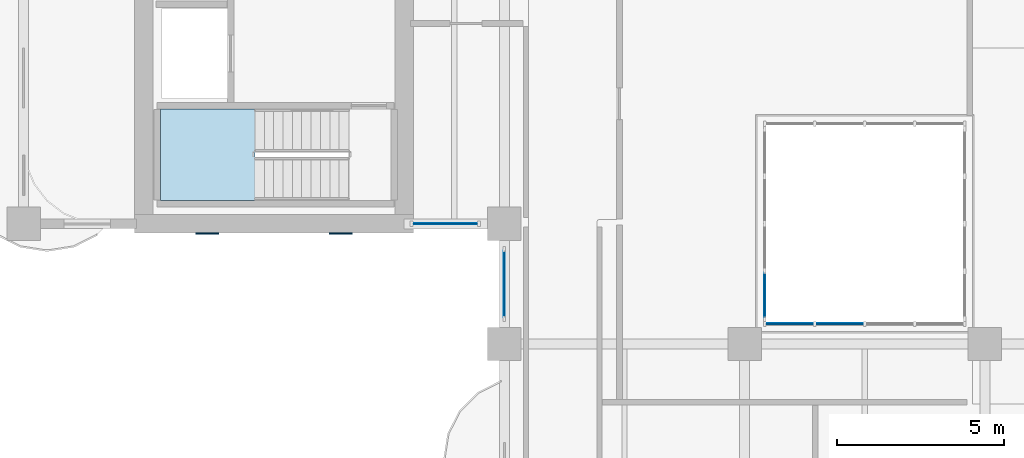
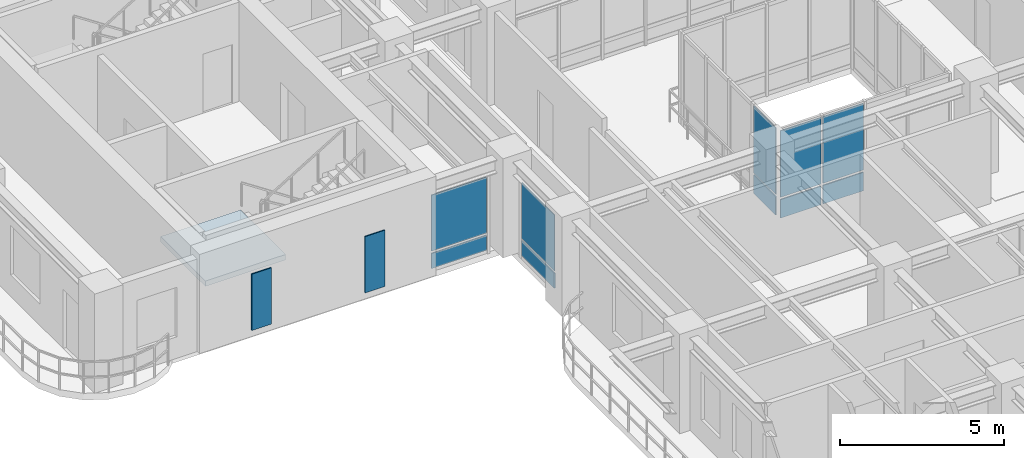
# One storey, part 8 of 20: 12 plates, 1 slab, 5 elements without a shape of their own.
"""IFC4 building model written with IfcOpenShell, lengths in metres."""

from ifc_helpers import new_model, si_unit, derived_unit, direction, frame, origin, origin_2d, place, context, subcontext, project, spatial, polyline, rectangle, outline, extrude, source, transform, mapped, material, layer, layer_set, type_object, type_shapes, element, aggregate, save


model = new_model("IFC4")

# Units and contexts
model_context = context("Model", 3, precision=1e-05, world=origin(), true_north=direction((0.0, 1.0)))
body_context = subcontext(model_context, "Body", "Model", "MODEL_VIEW")
ifc_project = project(units=[si_unit("LENGTHUNIT", "METRE"), si_unit("AREAUNIT", "SQUARE_METRE"), si_unit("VOLUMEUNIT", "CUBIC_METRE"), si_unit("PLANEANGLEUNIT", "RADIAN"), si_unit("MASSUNIT", "GRAM", prefix="KILO"), si_unit("THERMODYNAMICTEMPERATUREUNIT", "KELVIN"), si_unit("POWERUNIT", "WATT"), derived_unit("THERMALTRANSMITTANCEUNIT", [(si_unit("POWERUNIT", "WATT"), 1), (si_unit("AREAUNIT", "SQUARE_METRE"), -1), (si_unit("THERMODYNAMICTEMPERATUREUNIT", "KELVIN"), -1)])], contexts=[model_context])

# Site, building, storey
site_placement = place(None, origin())
site = spatial("IfcSite", under=ifc_project, at=site_placement, CompositionType="ELEMENT")
building_placement = place(site_placement, origin())
building = spatial("IfcBuilding", under=site, at=building_placement, Name="Zahravan Archway Hotel and Residences", CompositionType="ELEMENT")
storey_placement = place(building_placement, frame((0.0, 0.0, 111.800048828125)))
storey = spatial("IfcBuildingStorey", under=building, at=storey_placement, Name="L27", CompositionType="ELEMENT", Elevation=111.800048828125)

# Stair, slab
ifc_material_1 = material(Name="Concrete C50/60", Category="concrete")
stair_type = type_object("IfcStairType", Name="STR-CORE-1300", PredefinedType="HALF_TURN_STAIR", material=ifc_material_1)
stair_placement = place(storey_placement, origin())
stair = element("IfcStair", 1, at=stair_placement, inside=storey, type_object=stair_type, Name="L27 Core B Exit Stair 1", PredefinedType="HALF_TURN_STAIR")
ifc_layer_1 = layer(ifc_material_1, 0.199951171875, Name="Concrete C50/60", Category="concrete")
ifc_layer_set_1 = layer_set([ifc_layer_1], Name="Concrete C50/60")
slab_type = type_object("IfcSlabType", Name="SLB-LND-200", PredefinedType="LANDING", material=ifc_layer_set_1)
slab_placement = place(storey_placement, frame((0.0, 0.0, 1.64990234375)))
slab = element("IfcSlab", 2, at=slab_placement, type_object=slab_type, Name="ST-B1 landing 1", PredefinedType="LANDING", context=body_context, shape_type="SweptSolid", body=[
    extrude(outline(polyline([(6.929931640625, 28.639892578125), (4.10009765625, 28.639892578125), (4.10009765625, 25.89990234375), (6.929931640625, 25.89990234375), (6.929931640625, 28.639892578125)])), origin(), (0.0, 0.0, 1.0), 0.199951171875),
])
aggregate(stair, [slab])

# Plates
ifc_material_2 = material(Name="Perforated Cast Bronze Jali Lattice")
ifc_layer_2 = layer(ifc_material_2, 0.044921875, Name="Perforated Cast Bronze Jali Lattice")
ifc_layer_set_2 = layer_set([ifc_layer_2], Name="Perforated Cast Bronze Jali Lattice")
plate_type_1 = type_object("IfcPlateType", Name="PLT-JALI-BAY", PredefinedType="USERDEFINED", material=ifc_layer_set_2)
shared_shape_1 = source(origin(), body_context, "Body", "SweptSolid", [
    extrude(rectangle(XDim=0.699951171875, YDim=0.044921875, at=origin_2d()), origin(), (0.0, 0.0, 1.0), 2.10009765625),
])
type_shapes(plate_type_1, [shared_shape_1])
for number, where, z_axis, x_axis, name in (
    (3, (5.5, 24.906982421875, 0.25), (0.0, 0.0, 1.0), (1.0, 0.0, 0.0), "L27 Core B South Mughal Jali Screen 1"),
    (4, (9.5, 24.906982421875, 0.25), (0.0, 0.0, 1.0), (1.0, 0.0, 0.0), "L27 Core B South Mughal Jali Screen 2"),
):
    element("IfcPlate", number, at=place(storey_placement, frame(where, z_axis=z_axis, x_axis=x_axis)), inside=storey, type_object=plate_type_1, Name=name, ObjectType="SCREEN", PredefinedType="USERDEFINED", context=body_context, shape_type="MappedRepresentation", body=[
        mapped(shared_shape_1, transform((0.0, 0.0, 0.0), scale=1.0)),
    ])

# Curtain wall, plates
ifc_material_3 = material(Name="Bronze-Anodized Unitised Aluminium & Low-E Glass", Category="aluminium")
ifc_layer_3 = layer(ifc_material_3, 0.179931640625, Name="Bronze-Anodized Unitised Aluminium & Low-E Glass", Category="aluminium")
ifc_layer_set_3 = layer_set([ifc_layer_3], Name="Bronze-Anodized Unitised Aluminium & Low-E Glass")
curtain_wall_type = type_object("IfcCurtainWallType", Name="CW-ATR-GLAZ", PredefinedType="NOTDEFINED", material=ifc_layer_set_3)
curtain_wall_1_placement = place(storey_placement, origin())
curtain_wall_1 = element("IfcCurtainWall", 5, at=curtain_wall_1_placement, inside=storey, type_object=curtain_wall_type, Name="L27 Curtain Wall CW-ATR-L27-S-1", PredefinedType="NOTDEFINED")
ifc_material_4 = material(Name="Insulated Terracotta Spandrel Panel", Category="masonry")
ifc_layer_4 = layer(ifc_material_4, 0.0400390625, Name="Insulated Terracotta Spandrel Panel", Category="masonry")
ifc_layer_set_4 = layer_set([ifc_layer_4], Name="Insulated Terracotta Spandrel Panel")
plate_type_2 = type_object("IfcPlateType", Name="CWP-SPN-40", PredefinedType="SHEET", material=ifc_layer_set_4)
shared_shape_2 = source(origin(), body_context, "Body", "SweptSolid", [
    extrude(rectangle(XDim=1.419921875, YDim=0.0400390625, at=origin_2d()), origin(), (0.0, 0.0, 1.0), 0.68798828125),
])
plate_1_placement = place(storey_placement, frame((22.949951171875, 22.199951171875, 0.099853515625), z_axis=(0.0, 0.0, 1.0), x_axis=(1.0, 0.0, 0.0)))
plate_1 = element("IfcPlate", 6, at=plate_1_placement, type_object=plate_type_2, Name="CW-ATR-L27-S-1 Spandrel Panel 0", PredefinedType="SHEET", context=body_context, shape_type="MappedRepresentation", body=[
    mapped(shared_shape_2, transform((0.0, 0.0, 0.0), scale=1.0)),
])
plate_2_placement = place(storey_placement, frame((24.449951171875, 22.199951171875, 0.099853515625), z_axis=(0.0, 0.0, 1.0), x_axis=(1.0, 0.0, 0.0)))
plate_2 = element("IfcPlate", 7, at=plate_2_placement, type_object=plate_type_2, Name="CW-ATR-L27-S-1 Spandrel Panel 1", PredefinedType="SHEET", context=body_context, shape_type="MappedRepresentation", body=[
    mapped(shared_shape_2, transform((0.0, 0.0, 0.0), scale=1.0)),
])
ifc_material_5 = material(Name="Double-Silver Low-E Insulated Vision Glass", Category="glass")
ifc_layer_5 = layer(ifc_material_5, 0.028076171875, Name="Double-Silver Low-E Insulated Vision Glass", Category="glass")
ifc_layer_set_5 = layer_set([ifc_layer_5], Name="Double-Silver Low-E Insulated Vision Glass")
plate_type_3 = type_object("IfcPlateType", Name="CWP-GLZ-28", PredefinedType="CURTAIN_PANEL", material=ifc_layer_set_5)
shared_shape_3 = source(origin(), body_context, "Body", "SweptSolid", [
    extrude(rectangle(XDim=1.419921875, YDim=0.028076171875, at=origin_2d()), origin(), (0.0, 0.0, 1.0), 2.48193359375),
])
plate_3_placement = place(storey_placement, frame((22.949951171875, 22.199951171875, 0.867919921875), z_axis=(0.0, 0.0, 1.0), x_axis=(1.0, 0.0, 0.0)))
plate_3 = element("IfcPlate", 8, at=plate_3_placement, type_object=plate_type_3, Name="CW-ATR-L27-S-1 Low-E Vision Panel 0", PredefinedType="CURTAIN_PANEL", context=body_context, shape_type="MappedRepresentation", body=[
    mapped(shared_shape_3, transform((0.0, 0.0, 0.0), scale=1.0)),
])
plate_4_placement = place(storey_placement, frame((24.449951171875, 22.199951171875, 0.867919921875), z_axis=(0.0, 0.0, 1.0), x_axis=(1.0, 0.0, 0.0)))
plate_4 = element("IfcPlate", 9, at=plate_4_placement, type_object=plate_type_3, Name="CW-ATR-L27-S-1 Low-E Vision Panel 1", PredefinedType="CURTAIN_PANEL", context=body_context, shape_type="MappedRepresentation", body=[
    mapped(shared_shape_3, transform((0.0, 0.0, 0.0), scale=1.0)),
])
aggregate(curtain_wall_1, [plate_1, plate_3, plate_2, plate_4])

curtain_wall_2_placement = place(storey_placement, origin())
curtain_wall_2 = element("IfcCurtainWall", 10, at=curtain_wall_2_placement, inside=storey, type_object=curtain_wall_type, Name="L27 Curtain Wall CW-ATR-L27-W-1", PredefinedType="NOTDEFINED")
shared_shape_4 = source(origin(), body_context, "Body", "SweptSolid", [
    extrude(rectangle(XDim=1.344970703125, YDim=0.0400390625, at=origin_2d()), origin(), (0.0, 0.0, 1.0), 0.68798828125),
])
plate_5_placement = place(storey_placement, frame((22.199951171875, 23.0625, 0.099853515625), z_axis=(0.0, 0.0, 1.0), x_axis=(0.0, 1.0, 0.0)))
plate_5 = element("IfcPlate", 11, at=plate_5_placement, type_object=plate_type_2, Name="CW-ATR-L27-W-1 Spandrel Panel 0", PredefinedType="SHEET", context=body_context, shape_type="MappedRepresentation", body=[
    mapped(shared_shape_4, transform((0.0, 0.0, 0.0), scale=1.0)),
])
shared_shape_5 = source(origin(), body_context, "Body", "SweptSolid", [
    extrude(rectangle(XDim=1.344970703125, YDim=0.028076171875, at=origin_2d()), origin(), (0.0, 0.0, 1.0), 2.48193359375),
])
plate_6_placement = place(storey_placement, frame((22.199951171875, 23.0625, 0.867919921875), z_axis=(0.0, 0.0, 1.0), x_axis=(0.0, 1.0, 0.0)))
plate_6 = element("IfcPlate", 12, at=plate_6_placement, type_object=plate_type_3, Name="CW-ATR-L27-W-1 Low-E Vision Panel 0", PredefinedType="CURTAIN_PANEL", context=body_context, shape_type="MappedRepresentation", body=[
    mapped(shared_shape_5, transform((0.0, 0.0, 0.0), scale=1.0)),
])
aggregate(curtain_wall_2, [plate_5, plate_6])

curtain_wall_3_placement = place(storey_placement, origin())
curtain_wall_3 = element("IfcCurtainWall", 13, at=curtain_wall_3_placement, inside=storey, type_object=curtain_wall_type, Name="L27 Curtain Wall CW-L27-WA-WLU-1", PredefinedType="NOTDEFINED")
shared_shape_6 = source(origin(), body_context, "Body", "SweptSolid", [
    extrude(rectangle(XDim=2.0, YDim=0.0400390625, at=origin_2d()), origin(), (0.0, 0.0, 1.0), 0.564453125),
])
plate_7_placement = place(storey_placement, frame((14.39990234375, 23.39990234375, 0.099853515625), z_axis=(0.0, 0.0, 1.0), x_axis=(0.0, 1.0, 0.0)))
plate_7 = element("IfcPlate", 14, at=plate_7_placement, type_object=plate_type_2, Name="CW-L27-WA-WLU-1 Spandrel Panel 0", PredefinedType="SHEET", context=body_context, shape_type="MappedRepresentation", body=[
    mapped(shared_shape_6, transform((0.0, 0.0, 0.0), scale=1.0)),
])
shared_shape_7 = source(origin(), body_context, "Body", "SweptSolid", [
    extrude(rectangle(XDim=2.0, YDim=0.028076171875, at=origin_2d()), origin(), (0.0, 0.0, 1.0), 2.090576171875),
])
plate_8_placement = place(storey_placement, frame((14.39990234375, 23.39990234375, 0.744140625), z_axis=(0.0, 0.0, 1.0), x_axis=(0.0, 1.0, 0.0)))
plate_8 = element("IfcPlate", 15, at=plate_8_placement, type_object=plate_type_3, Name="CW-L27-WA-WLU-1 Low-E Vision Panel 0", PredefinedType="CURTAIN_PANEL", context=body_context, shape_type="MappedRepresentation", body=[
    mapped(shared_shape_7, transform((0.0, 0.0, 0.0), scale=1.0)),
])
aggregate(curtain_wall_3, [plate_7, plate_8])

curtain_wall_4_placement = place(storey_placement, origin())
curtain_wall_4 = element("IfcCurtainWall", 16, at=curtain_wall_4_placement, inside=storey, type_object=curtain_wall_type, Name="L27 Curtain Wall CW-L27-WB-SE-1", PredefinedType="NOTDEFINED")
shared_shape_8 = source(origin(), body_context, "Body", "SweptSolid", [
    extrude(rectangle(XDim=1.93994140625, YDim=0.0400390625, at=origin_2d()), origin(), (0.0, 0.0, 1.0), 0.564453125),
])
plate_9_placement = place(storey_placement, frame((12.6298828125, 25.199951171875, 0.099853515625), z_axis=(0.0, 0.0, 1.0), x_axis=(1.0, 0.0, 0.0)))
plate_9 = element("IfcPlate", 17, at=plate_9_placement, type_object=plate_type_2, Name="CW-L27-WB-SE-1 Spandrel Panel 0", PredefinedType="SHEET", context=body_context, shape_type="MappedRepresentation", body=[
    mapped(shared_shape_8, transform((0.0, 0.0, 0.0), scale=1.0)),
])
shared_shape_9 = source(origin(), body_context, "Body", "SweptSolid", [
    extrude(rectangle(XDim=1.93994140625, YDim=0.028076171875, at=origin_2d()), origin(), (0.0, 0.0, 1.0), 2.090576171875),
])
plate_10_placement = place(storey_placement, frame((12.6298828125, 25.199951171875, 0.744140625), z_axis=(0.0, 0.0, 1.0), x_axis=(1.0, 0.0, 0.0)))
plate_10 = element("IfcPlate", 18, at=plate_10_placement, type_object=plate_type_3, Name="CW-L27-WB-SE-1 Low-E Vision Panel 0", PredefinedType="CURTAIN_PANEL", context=body_context, shape_type="MappedRepresentation", body=[
    mapped(shared_shape_9, transform((0.0, 0.0, 0.0), scale=1.0)),
])
aggregate(curtain_wall_4, [plate_9, plate_10])

save(model, "model.ifc")
